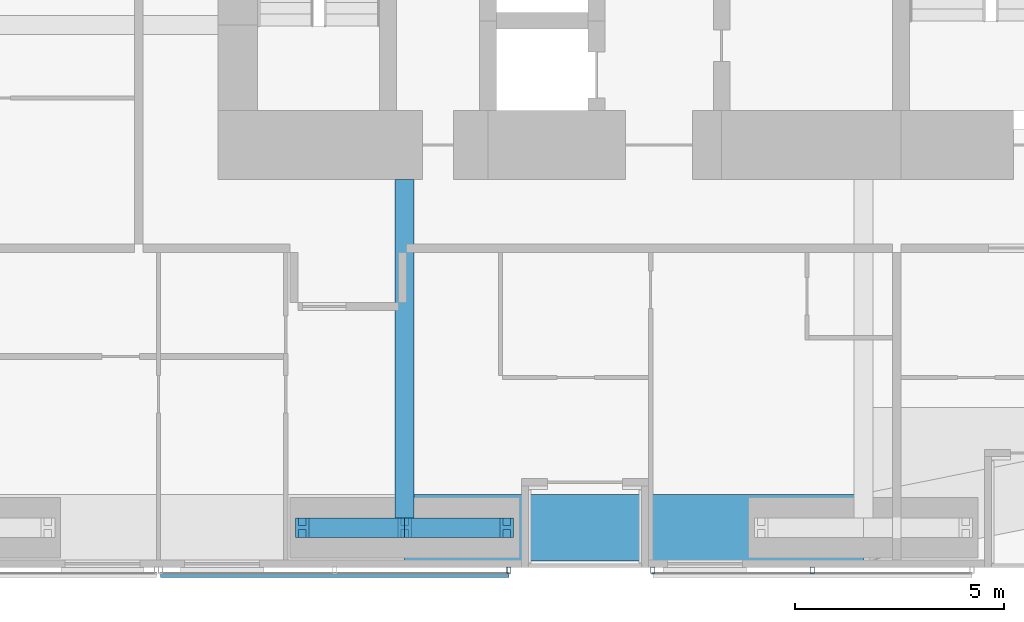
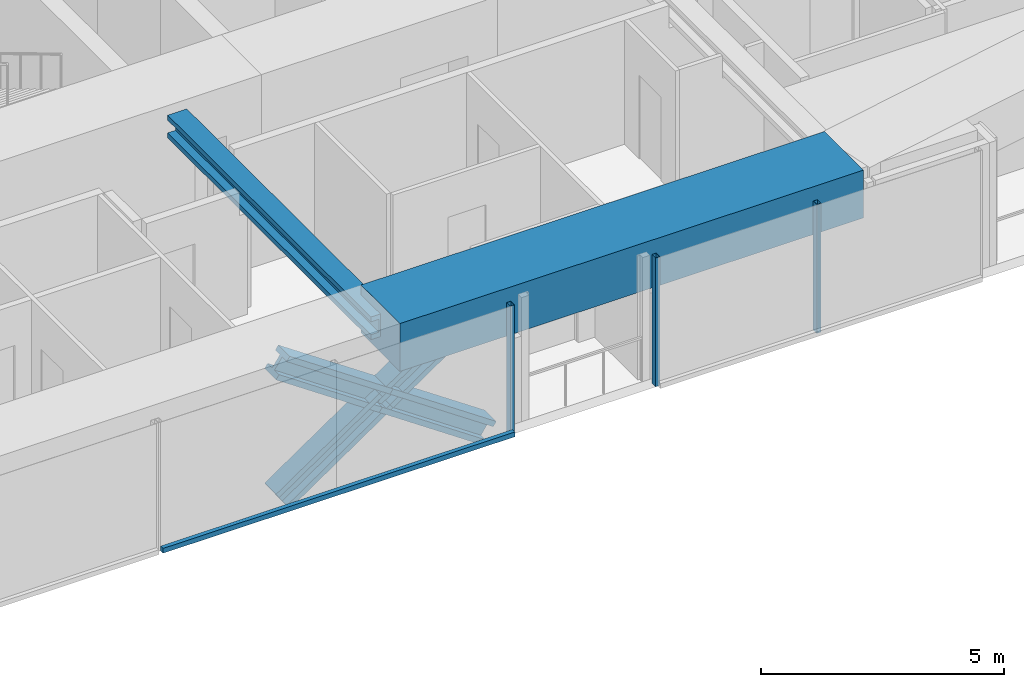
# One storey, part 5 of 24: 8 members, 2 beams, 2 elements without a shape of their own.
"""IFC4 building model written with IfcOpenShell, lengths in metres."""

from ifc_helpers import new_model, si_unit, direction, frame, origin, origin_2d, place, context, subcontext, project, spatial, rectangle, hollow_rectangle, i_section, extrude, material, material_profile, profile_set, type_object, element, aggregate, save


model = new_model("IFC4")

# Units and contexts
model_context = context("Model", 3, precision=1e-05, world=origin(), true_north=direction((0.0, 1.0)))
body_context = subcontext(model_context, "Body", "Model", "MODEL_VIEW")
ifc_project = project(units=[si_unit("LENGTHUNIT", "METRE"), si_unit("AREAUNIT", "SQUARE_METRE"), si_unit("VOLUMEUNIT", "CUBIC_METRE"), si_unit("PLANEANGLEUNIT", "RADIAN"), si_unit("MASSUNIT", "GRAM", prefix="KILO")], contexts=[model_context])

# Site, building, storey
site_placement = place(None, origin())
site = spatial("IfcSite", under=ifc_project, at=site_placement, CompositionType="ELEMENT")
building_placement = place(site_placement, origin())
building = spatial("IfcBuilding", under=site, at=building_placement, Name="Jalousie Tower", CompositionType="ELEMENT")
storey_placement = place(building_placement, frame((0.0, 0.0, 57.85009765625)))
storey = spatial("IfcBuildingStorey", under=building, at=storey_placement, Name="L15", CompositionType="ELEMENT", Elevation=57.85009765625)

# Beam
ifc_material_1 = material(Name="Steel ASTM A992 Grade 50", Category="steel")
ifc_material_profile_1 = material_profile(ifc_material_1, i_section(OverallWidth=0.45458984375, OverallDepth=0.569091796875, WebThickness=0.077880859375, FlangeThickness=0.124755859375, at=origin_2d()), Name="W14X730")
ifc_profile_set_1 = profile_set([ifc_material_profile_1], Name="Steel ASTM A992 Grade 50")
beam_type_1 = type_object("IfcBeamType", Name="LEAN COLLECTOR W14X730", PredefinedType="BEAM", material=ifc_profile_set_1)
beam_1_placement = place(storey_placement, frame((24.0, 0.949951171875, 2.825439453125), z_axis=(0.0, 1.0, 0.0), x_axis=(-1.0, 0.0, 0.0)))
element("IfcBeam", 1, at=beam_1_placement, inside=storey, type_object=beam_type_1, Name="Lean collector under L16", PredefinedType="BEAM", context=body_context, shape_type="SweptSolid", body=[
    extrude(i_section(OverallWidth=0.45458984375, OverallDepth=0.569091796875, WebThickness=0.077880859375, FlangeThickness=0.124755859375, at=origin_2d()), origin(), (0.0, 0.0, 1.0), 8.35009765625),
])

# Members
ifc_material_2 = material(Name="Steel ASTM A992 Grade 50", Category="steel")
ifc_material_profile_2 = material_profile(ifc_material_2, i_section(OverallWidth=0.472412109375, OverallDepth=0.5791015625, WebThickness=0.094970703125, FlangeThickness=0.1298828125, at=origin_2d()), Name="W14X808")
ifc_profile_set_2 = profile_set([ifc_material_profile_2], Name="Steel ASTM A992 Grade 50")
member_type_1 = type_object("IfcMemberType", Name="PERIMETER BRACE W14X808", PredefinedType="BRACE", material=ifc_profile_set_2)
for number, where, z_axis, x_axis, name in (
    (2, (21.550048828125, 0.949951171875, -0.60009765625), (0.825500916831, 0.0, 0.564400776321), (0.0, 1.0, 0.0), "Perimeter brace 03 L15 part 1"),
    (3, (24.0, 0.949951171875, 1.074951171875), (0.825500916831, 0.0, 0.564400776321), (0.0, 1.0, 0.0), "Perimeter brace 03 L15 part 2"),
    (4, (26.449951171875, 0.949951171875, -0.60009765625), (-0.825500916831, 0.0, 0.564400776321), (0.0, -1.0, 0.0), "Perimeter brace 03 L15 part 3"),
    (5, (24.0, 0.949951171875, 1.074951171875), (-0.825500916831, 0.0, 0.564400776321), (0.0, -1.0, 0.0), "Perimeter brace 03 L15 part 4"),
):
    element("IfcMember", number, at=place(storey_placement, frame(where, z_axis=z_axis, x_axis=x_axis)), inside=storey, type_object=member_type_1, Name=name, PredefinedType="BRACE", context=body_context, shape_type="SweptSolid", body=[
        extrude(i_section(OverallWidth=0.472412109375, OverallDepth=0.5791015625, WebThickness=0.094970703125, FlangeThickness=0.1298828125, at=origin_2d()), origin(), (0.0, 0.0, 1.0), 2.9677734375),
    ])

# Beam
ifc_material_3 = material(Name="Concrete f'c 40 MPa", Category="concrete")
ifc_material_profile_3 = material_profile(ifc_material_3, rectangle(XDim=1.60009765625, YDim=1.199951171875, at=origin_2d()), Name="RC 1600x1200")
ifc_profile_set_3 = profile_set([ifc_material_profile_3], Name="Concrete f'c 40 MPa")
beam_type_2 = type_object("IfcBeamType", Name="RC BEAM 1600x1200", PredefinedType="BEAM", material=ifc_profile_set_3)
beam_2_placement = place(storey_placement, frame((24.0, 0.949951171875, 2.75), z_axis=(1.0, 0.0, 0.0), x_axis=(0.0, 1.0, 0.0)))
element("IfcBeam", 6, at=beam_2_placement, inside=storey, type_object=beam_type_2, Name="Edge band beam 03-04 under L16", PredefinedType="BEAM", context=body_context, shape_type="SweptSolid", body=[
    extrude(rectangle(XDim=1.60009765625, YDim=1.199951171875, at=origin_2d()), origin(), (0.0, 0.0, 1.0), 11.0),
])

# Curtain wall, member
ifc_material_4 = material(Name="Perforated aluminium sheet", Category="aluminium")
curtain_wall_type = type_object("IfcCurtainWallType", Name="SOLAR SCREEN SS-1", PredefinedType="USERDEFINED", material=ifc_material_4)
curtain_wall_1_placement = place(storey_placement, origin())
curtain_wall_1 = element("IfcCurtainWall", 7, at=curtain_wall_1_placement, inside=storey, type_object=curtain_wall_type, Name="Solar screen L15", ObjectType="SOLAR SCREEN SS-1", PredefinedType="USERDEFINED")
ifc_material_5 = material(Name="Steel ASTM A500 Grade C", Category="steel")
ifc_material_profile_4 = material_profile(ifc_material_5, hollow_rectangle(XDim=0.1015625, YDim=0.15234375, WallThickness=0.00634765625, at=origin_2d()), Name="HSS6X4X1/4")
ifc_profile_set_4 = profile_set([ifc_material_profile_4], Name="Steel ASTM A500 Grade C")
member_type_2 = type_object("IfcMemberType", Name="SOLAR SCREEN SS-1 MULLION", PredefinedType="MULLION", material=ifc_profile_set_4)
member_1_placement = place(storey_placement, frame((26.5, -0.0712890625, -0.1201171875), z_axis=(0.0, 0.0, 1.0), x_axis=(1.0, 0.0, 0.0)))
member_1 = element("IfcMember", 8, at=member_1_placement, type_object=member_type_2, Name="SS1 post 3", PredefinedType="MULLION", context=body_context, shape_type="SweptSolid", body=[
    extrude(hollow_rectangle(XDim=0.1015625, YDim=0.15234375, WallThickness=0.00634765625, at=origin_2d()), origin(), (0.0, 0.0, 1.0), 3.22998046875),
])

# Curtain wall, members
curtain_wall_2_placement = place(storey_placement, origin())
curtain_wall_2 = element("IfcCurtainWall", 9, at=curtain_wall_2_placement, inside=storey, type_object=curtain_wall_type, Name="Solar screen L15", ObjectType="SOLAR SCREEN SS-1", PredefinedType="USERDEFINED")
member_2_placement = place(storey_placement, frame((29.949951171875, -0.0712890625, -0.1201171875), z_axis=(0.0, 0.0, 1.0), x_axis=(1.0, 0.0, 0.0)))
member_2 = element("IfcMember", 10, at=member_2_placement, type_object=member_type_2, Name="SS1 post 1", PredefinedType="MULLION", context=body_context, shape_type="SweptSolid", body=[
    extrude(hollow_rectangle(XDim=0.1015625, YDim=0.15234375, WallThickness=0.00634765625, at=origin_2d()), origin(), (0.0, 0.0, 1.0), 3.22998046875),
])
member_3_placement = place(storey_placement, frame((33.77490234375, -0.0712890625, -0.1201171875), z_axis=(0.0, 0.0, 1.0), x_axis=(1.0, 0.0, 0.0)))
member_3 = element("IfcMember", 11, at=member_3_placement, type_object=member_type_2, Name="SS1 post 2", PredefinedType="MULLION", context=body_context, shape_type="SweptSolid", body=[
    extrude(hollow_rectangle(XDim=0.1015625, YDim=0.15234375, WallThickness=0.00634765625, at=origin_2d()), origin(), (0.0, 0.0, 1.0), 3.22998046875),
])
aggregate(curtain_wall_2, [member_2, member_3])

# Member
ifc_material_6 = material(Name="Extruded aluminium screen rail", Category="aluminium")
ifc_material_profile_5 = material_profile(ifc_material_6, rectangle(XDim=0.1015625, YDim=0.1201171875, at=origin_2d()), Name="RAIL 102x120")
ifc_profile_set_5 = profile_set([ifc_material_profile_5], Name="Extruded aluminium screen rail")
member_type_3 = type_object("IfcMemberType", Name="SOLAR SCREEN SS-1 TRANSOM", PredefinedType="USERDEFINED", material=ifc_profile_set_5)
member_4_placement = place(storey_placement, frame((18.14990234375, -0.1982421875, -0.06005859375), z_axis=(1.0, 0.0, 0.0), x_axis=(0.0, 1.0, 0.0)))
member_4 = element("IfcMember", 12, at=member_4_placement, type_object=member_type_3, Name="SS1 rail", ObjectType="TRANSOM", PredefinedType="USERDEFINED", context=body_context, shape_type="SweptSolid", body=[
    extrude(rectangle(XDim=0.1015625, YDim=0.1201171875, at=origin_2d()), origin(), (0.0, 0.0, 1.0), 8.35009765625),
])

aggregate(curtain_wall_1, [member_1, member_4])

save(model, "model.ifc")
